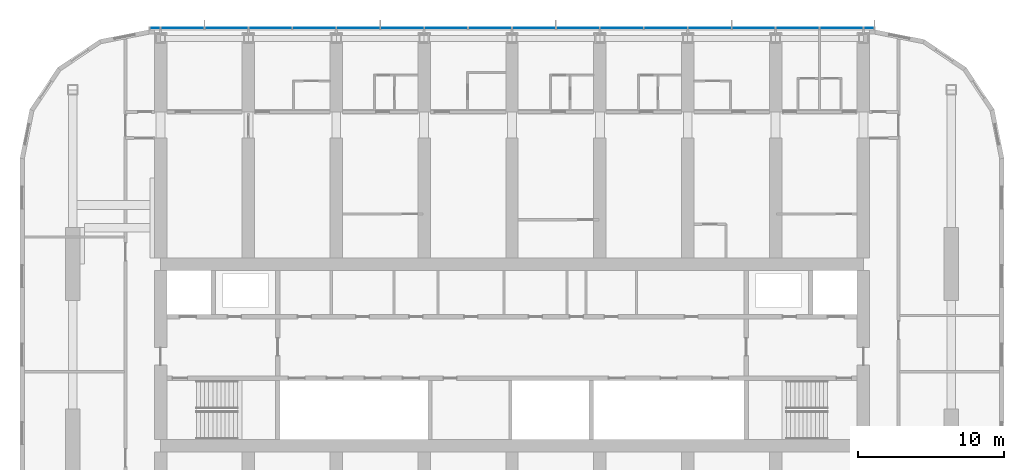
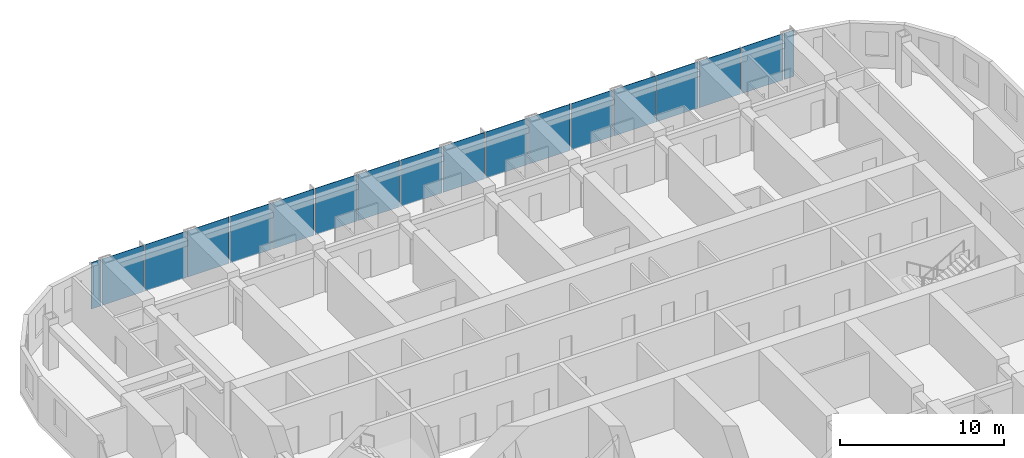
# One storey, part 9 of 22: 18 plates, 1 element without a shape of its own.
"""IFC4 building model written with IfcOpenShell, lengths in metres."""

from ifc_helpers import new_model, si_unit, direction, frame, origin, origin_2d, place, context, subcontext, project, spatial, rectangle, extrude, material, layer, layer_set, type_object, element, aggregate, save


model = new_model("IFC4")

# Units and contexts
model_context = context("Model", 3, precision=1e-05, world=origin(), true_north=direction((0.0, 1.0)))
body_context = subcontext(model_context, "Body", "Model", "MODEL_VIEW")
ifc_project = project(units=[si_unit("LENGTHUNIT", "METRE"), si_unit("AREAUNIT", "SQUARE_METRE"), si_unit("VOLUMEUNIT", "CUBIC_METRE"), si_unit("PLANEANGLEUNIT", "RADIAN"), si_unit("MASSUNIT", "GRAM", prefix="KILO")], contexts=[model_context])

# Site, building, storey
site_placement = place(None, origin())
site = spatial("IfcSite", under=ifc_project, at=site_placement, CompositionType="ELEMENT")
building_placement = place(site_placement, origin())
building = spatial("IfcBuilding", under=site, at=building_placement, Name="Orbita Commons", CompositionType="ELEMENT")
storey_placement = place(building_placement, frame((0.0, 0.0, 159.85009765625)))
storey = spatial("IfcBuildingStorey", under=building, at=storey_placement, Name="L39", CompositionType="ELEMENT", Elevation=159.85009765625)

# Curtain wall, plates
ifc_material_1 = material(Name="Anodised aluminium frame, pale silver", Category="aluminium")
curtain_wall_type = type_object("IfcCurtainWallType", Name="Unitised curtain wall CW-U, full-height vision", PredefinedType="NOTDEFINED", material=ifc_material_1)
curtain_wall_placement = place(storey_placement, origin())
curtain_wall = element("IfcCurtainWall", 1, at=curtain_wall_placement, inside=storey, type_object=curtain_wall_type, Name="Curtain wall north L39", PredefinedType="NOTDEFINED")
ifc_material_2 = material(Name="Clear double glazing", Category="glass")
ifc_layer = layer(ifc_material_2, 0.031982421875)
ifc_layer_set = layer_set([ifc_layer], Name="Clear double glazing")
plate_type = type_object("IfcPlateType", Name="Full-height vision panel, clear glazing 32", PredefinedType="CURTAIN_PANEL", material=ifc_layer_set)
plate_1_placement = place(storey_placement, frame((66.3798828125, 54.31005859375, -0.14990234375), z_axis=(0.0, 0.0, 1.0), x_axis=(-1.0, 0.0, 0.0)))
plate_1 = element("IfcPlate", 2, at=plate_1_placement, type_object=plate_type, Name="Panel 1.1 CW-L39-N", PredefinedType="CURTAIN_PANEL", context=body_context, shape_type="SweptSolid", body=[
    extrude(rectangle(XDim=0.679931640625, YDim=0.031982421875, at=origin_2d()), origin(), (0.0, 0.0, 1.0), 3.449951171875),
])
plate_2_placement = place(storey_placement, frame((64.5, 54.31005859375, -0.14990234375), z_axis=(0.0, 0.0, 1.0), x_axis=(-1.0, 0.0, 0.0)))
plate_2 = element("IfcPlate", 3, at=plate_2_placement, type_object=plate_type, Name="Panel 2.1 CW-L39-N", PredefinedType="CURTAIN_PANEL", context=body_context, shape_type="SweptSolid", body=[
    extrude(rectangle(XDim=2.919921875, YDim=0.031982421875, at=origin_2d()), origin(), (0.0, 0.0, 1.0), 3.449951171875),
])
plate_3_placement = place(storey_placement, frame((61.5, 54.31005859375, -0.14990234375), z_axis=(0.0, 0.0, 1.0), x_axis=(-1.0, 0.0, 0.0)))
plate_3 = element("IfcPlate", 4, at=plate_3_placement, type_object=plate_type, Name="Panel 3.1 CW-L39-N", PredefinedType="CURTAIN_PANEL", context=body_context, shape_type="SweptSolid", body=[
    extrude(rectangle(XDim=2.919921875, YDim=0.031982421875, at=origin_2d()), origin(), (0.0, 0.0, 1.0), 3.449951171875),
])
plate_4_placement = place(storey_placement, frame((58.5, 54.31005859375, -0.14990234375), z_axis=(0.0, 0.0, 1.0), x_axis=(-1.0, 0.0, 0.0)))
plate_4 = element("IfcPlate", 5, at=plate_4_placement, type_object=plate_type, Name="Panel 4.1 CW-L39-N", PredefinedType="CURTAIN_PANEL", context=body_context, shape_type="SweptSolid", body=[
    extrude(rectangle(XDim=2.919921875, YDim=0.031982421875, at=origin_2d()), origin(), (0.0, 0.0, 1.0), 3.449951171875),
])
plate_5_placement = place(storey_placement, frame((55.5, 54.31005859375, -0.14990234375), z_axis=(0.0, 0.0, 1.0), x_axis=(-1.0, 0.0, 0.0)))
plate_5 = element("IfcPlate", 6, at=plate_5_placement, type_object=plate_type, Name="Panel 5.1 CW-L39-N", PredefinedType="CURTAIN_PANEL", context=body_context, shape_type="SweptSolid", body=[
    extrude(rectangle(XDim=2.919921875, YDim=0.031982421875, at=origin_2d()), origin(), (0.0, 0.0, 1.0), 3.449951171875),
])
plate_6_placement = place(storey_placement, frame((52.5, 54.31005859375, -0.14990234375), z_axis=(0.0, 0.0, 1.0), x_axis=(-1.0, 0.0, 0.0)))
plate_6 = element("IfcPlate", 7, at=plate_6_placement, type_object=plate_type, Name="Panel 6.1 CW-L39-N", PredefinedType="CURTAIN_PANEL", context=body_context, shape_type="SweptSolid", body=[
    extrude(rectangle(XDim=2.919921875, YDim=0.031982421875, at=origin_2d()), origin(), (0.0, 0.0, 1.0), 3.449951171875),
])
plate_7_placement = place(storey_placement, frame((49.5, 54.31005859375, -0.14990234375), z_axis=(0.0, 0.0, 1.0), x_axis=(-1.0, 0.0, 0.0)))
plate_7 = element("IfcPlate", 8, at=plate_7_placement, type_object=plate_type, Name="Panel 7.1 CW-L39-N", PredefinedType="CURTAIN_PANEL", context=body_context, shape_type="SweptSolid", body=[
    extrude(rectangle(XDim=2.919921875, YDim=0.031982421875, at=origin_2d()), origin(), (0.0, 0.0, 1.0), 3.449951171875),
])
plate_8_placement = place(storey_placement, frame((46.5, 54.31005859375, -0.14990234375), z_axis=(0.0, 0.0, 1.0), x_axis=(-1.0, 0.0, 0.0)))
plate_8 = element("IfcPlate", 9, at=plate_8_placement, type_object=plate_type, Name="Panel 8.1 CW-L39-N", PredefinedType="CURTAIN_PANEL", context=body_context, shape_type="SweptSolid", body=[
    extrude(rectangle(XDim=2.919921875, YDim=0.031982421875, at=origin_2d()), origin(), (0.0, 0.0, 1.0), 3.449951171875),
])
plate_9_placement = place(storey_placement, frame((43.5, 54.31005859375, -0.14990234375), z_axis=(0.0, 0.0, 1.0), x_axis=(-1.0, 0.0, 0.0)))
plate_9 = element("IfcPlate", 10, at=plate_9_placement, type_object=plate_type, Name="Panel 9.1 CW-L39-N", PredefinedType="CURTAIN_PANEL", context=body_context, shape_type="SweptSolid", body=[
    extrude(rectangle(XDim=2.919921875, YDim=0.031982421875, at=origin_2d()), origin(), (0.0, 0.0, 1.0), 3.449951171875),
])
plate_10_placement = place(storey_placement, frame((40.5, 54.31005859375, -0.14990234375), z_axis=(0.0, 0.0, 1.0), x_axis=(-1.0, 0.0, 0.0)))
plate_10 = element("IfcPlate", 11, at=plate_10_placement, type_object=plate_type, Name="Panel 10.1 CW-L39-N", PredefinedType="CURTAIN_PANEL", context=body_context, shape_type="SweptSolid", body=[
    extrude(rectangle(XDim=2.919921875, YDim=0.031982421875, at=origin_2d()), origin(), (0.0, 0.0, 1.0), 3.449951171875),
])
plate_11_placement = place(storey_placement, frame((37.5, 54.31005859375, -0.14990234375), z_axis=(0.0, 0.0, 1.0), x_axis=(-1.0, 0.0, 0.0)))
plate_11 = element("IfcPlate", 12, at=plate_11_placement, type_object=plate_type, Name="Panel 11.1 CW-L39-N", PredefinedType="CURTAIN_PANEL", context=body_context, shape_type="SweptSolid", body=[
    extrude(rectangle(XDim=2.919921875, YDim=0.031982421875, at=origin_2d()), origin(), (0.0, 0.0, 1.0), 3.449951171875),
])
plate_12_placement = place(storey_placement, frame((34.5, 54.31005859375, -0.14990234375), z_axis=(0.0, 0.0, 1.0), x_axis=(-1.0, 0.0, 0.0)))
plate_12 = element("IfcPlate", 13, at=plate_12_placement, type_object=plate_type, Name="Panel 12.1 CW-L39-N", PredefinedType="CURTAIN_PANEL", context=body_context, shape_type="SweptSolid", body=[
    extrude(rectangle(XDim=2.919921875, YDim=0.031982421875, at=origin_2d()), origin(), (0.0, 0.0, 1.0), 3.449951171875),
])
plate_13_placement = place(storey_placement, frame((31.5, 54.31005859375, -0.14990234375), z_axis=(0.0, 0.0, 1.0), x_axis=(-1.0, 0.0, 0.0)))
plate_13 = element("IfcPlate", 14, at=plate_13_placement, type_object=plate_type, Name="Panel 13.1 CW-L39-N", PredefinedType="CURTAIN_PANEL", context=body_context, shape_type="SweptSolid", body=[
    extrude(rectangle(XDim=2.919921875, YDim=0.031982421875, at=origin_2d()), origin(), (0.0, 0.0, 1.0), 3.449951171875),
])
plate_14_placement = place(storey_placement, frame((28.5, 54.31005859375, -0.14990234375), z_axis=(0.0, 0.0, 1.0), x_axis=(-1.0, 0.0, 0.0)))
plate_14 = element("IfcPlate", 15, at=plate_14_placement, type_object=plate_type, Name="Panel 14.1 CW-L39-N", PredefinedType="CURTAIN_PANEL", context=body_context, shape_type="SweptSolid", body=[
    extrude(rectangle(XDim=2.919921875, YDim=0.031982421875, at=origin_2d()), origin(), (0.0, 0.0, 1.0), 3.449951171875),
])
plate_15_placement = place(storey_placement, frame((25.5, 54.31005859375, -0.14990234375), z_axis=(0.0, 0.0, 1.0), x_axis=(-1.0, 0.0, 0.0)))
plate_15 = element("IfcPlate", 16, at=plate_15_placement, type_object=plate_type, Name="Panel 15.1 CW-L39-N", PredefinedType="CURTAIN_PANEL", context=body_context, shape_type="SweptSolid", body=[
    extrude(rectangle(XDim=2.919921875, YDim=0.031982421875, at=origin_2d()), origin(), (0.0, 0.0, 1.0), 3.449951171875),
])
plate_16_placement = place(storey_placement, frame((22.5, 54.31005859375, -0.14990234375), z_axis=(0.0, 0.0, 1.0), x_axis=(-1.0, 0.0, 0.0)))
plate_16 = element("IfcPlate", 17, at=plate_16_placement, type_object=plate_type, Name="Panel 16.1 CW-L39-N", PredefinedType="CURTAIN_PANEL", context=body_context, shape_type="SweptSolid", body=[
    extrude(rectangle(XDim=2.919921875, YDim=0.031982421875, at=origin_2d()), origin(), (0.0, 0.0, 1.0), 3.449951171875),
])
plate_17_placement = place(storey_placement, frame((19.5, 54.31005859375, -0.14990234375), z_axis=(0.0, 0.0, 1.0), x_axis=(-1.0, 0.0, 0.0)))
plate_17 = element("IfcPlate", 18, at=plate_17_placement, type_object=plate_type, Name="Panel 17.1 CW-L39-N", PredefinedType="CURTAIN_PANEL", context=body_context, shape_type="SweptSolid", body=[
    extrude(rectangle(XDim=2.919921875, YDim=0.031982421875, at=origin_2d()), origin(), (0.0, 0.0, 1.0), 3.449951171875),
])
plate_18_placement = place(storey_placement, frame((17.6201171875, 54.31005859375, -0.14990234375), z_axis=(0.0, 0.0, 1.0), x_axis=(-1.0, 0.0, 0.0)))
plate_18 = element("IfcPlate", 19, at=plate_18_placement, type_object=plate_type, Name="Panel 18.1 CW-L39-N", PredefinedType="CURTAIN_PANEL", context=body_context, shape_type="SweptSolid", body=[
    extrude(rectangle(XDim=0.679931640625, YDim=0.031982421875, at=origin_2d()), origin(), (0.0, 0.0, 1.0), 3.449951171875),
])
aggregate(curtain_wall, [plate_1, plate_2, plate_3, plate_4, plate_5, plate_6, plate_7, plate_8, plate_9, plate_10, plate_11, plate_12, plate_13, plate_14, plate_15, plate_16, plate_17, plate_18])

save(model, "model.ifc")
